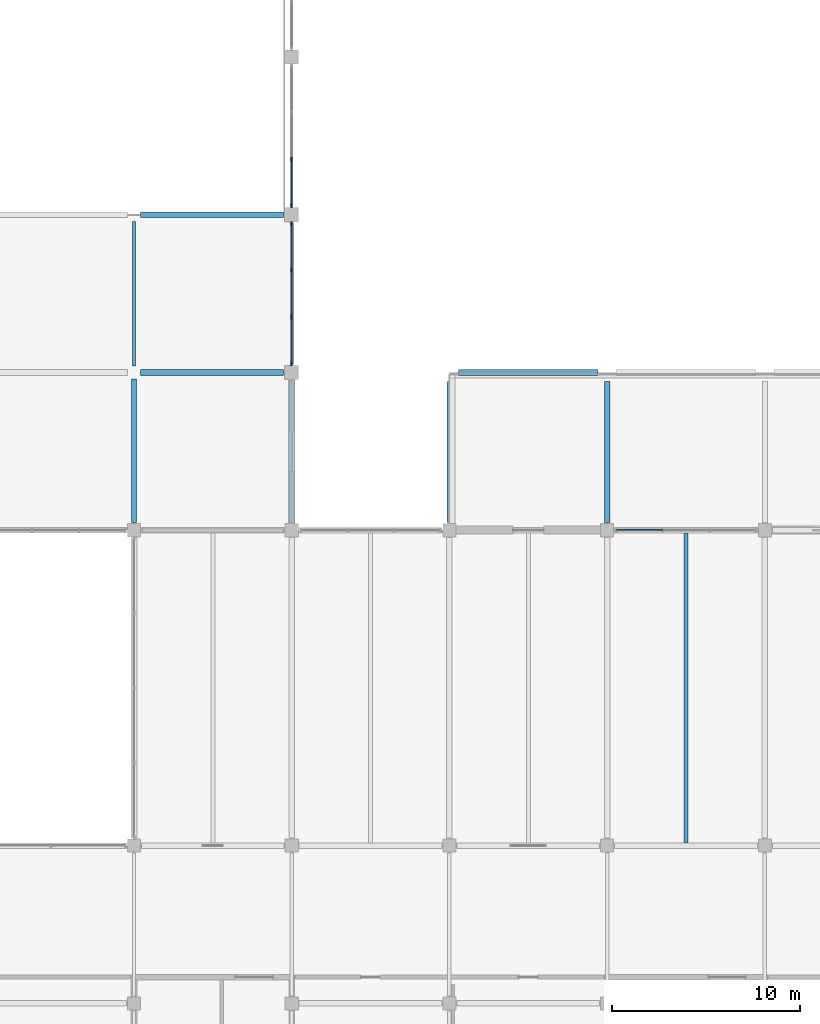
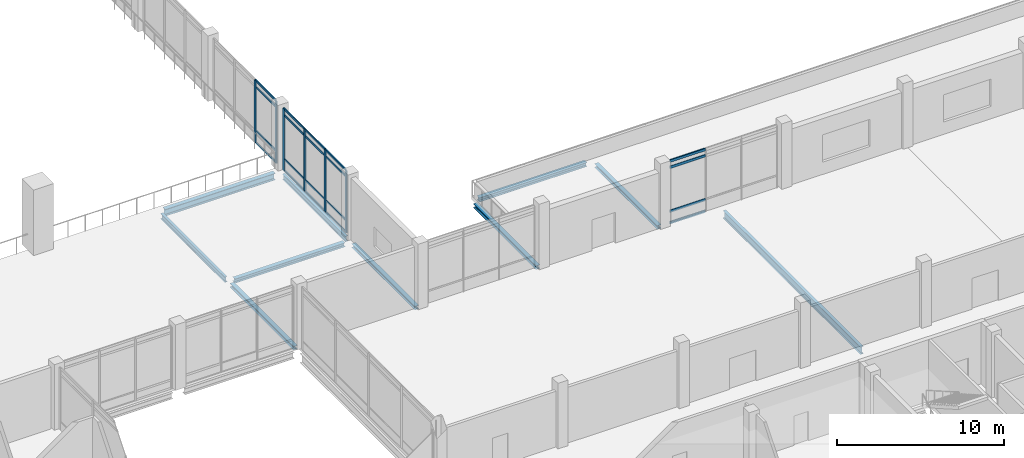
# One storey, part 10 of 110: 26 members, 10 beams, 3 elements without a shape of their own.
"""IFC4 building model written with IfcOpenShell, lengths in metres."""

from ifc_helpers import new_model, si_unit, direction, frame, origin, origin_2d, place, context, subcontext, project, spatial, rectangle, i_section, extrude, material, layer, layer_set, material_profile, profile_set, type_object, element, aggregate, save


model = new_model("IFC4")

# Units and contexts
model_context = context("Model", 3, precision=1e-05, world=origin(), true_north=direction((0.0, 1.0)))
body_context = subcontext(model_context, "Body", "Model", "MODEL_VIEW")
ifc_project = project(units=[si_unit("LENGTHUNIT", "METRE"), si_unit("AREAUNIT", "SQUARE_METRE"), si_unit("VOLUMEUNIT", "CUBIC_METRE"), si_unit("PLANEANGLEUNIT", "RADIAN"), si_unit("MASSUNIT", "GRAM", prefix="KILO")], contexts=[model_context])

# Site, building, storey
site_placement = place(None, origin())
site = spatial("IfcSite", under=ifc_project, at=site_placement, CompositionType="ELEMENT")
building_placement = place(site_placement, origin())
building = spatial("IfcBuilding", under=site, at=building_placement, Name="Qawsi Khor Wholesale Market", CompositionType="ELEMENT")
storey_placement = place(building_placement, frame((0.0, 0.0, 11.39990234375)))
storey = spatial("IfcBuildingStorey", under=building, at=storey_placement, Name="L02", CompositionType="ELEMENT", Elevation=11.39990234375)

# Curtain wall, members
ifc_material_1 = material(Name="Aluminium Anodised Bronze", Category="aluminium")
ifc_layer_1 = layer(ifc_material_1, 0.199951171875, Name="Aluminium Anodised Bronze")
ifc_layer_set_1 = layer_set([ifc_layer_1], Name="Aluminium Anodised Bronze")
curtain_wall_type_1 = type_object("IfcCurtainWallType", Name="Trading Hall North-Light Curtain Wall CW-03", PredefinedType="NOTDEFINED", material=ifc_layer_set_1)
curtain_wall_1_placement = place(storey_placement, origin())
curtain_wall_1 = element("IfcCurtainWall", 1, at=curtain_wall_1_placement, inside=storey, type_object=curtain_wall_type_1, Name="Curtain wall CW-CW-03-L02-074", PredefinedType="NOTDEFINED")
ifc_material_profile_1 = material_profile(ifc_material_1, rectangle(XDim=0.074951171875, YDim=0.219970703125, at=origin_2d()), Name="ALU MULLION 75x220")
ifc_profile_set_1 = profile_set([ifc_material_profile_1], Name="Aluminium Anodised Bronze")
member_type_1 = type_object("IfcMemberType", Name="Curtain Wall Mullion CW-03 ALU MULLION 75x220", PredefinedType="MULLION", material=ifc_profile_set_1)
member_1_placement = place(storey_placement, frame((75.60009765625, 50.87255859375, -0.02001953125), z_axis=(0.0, 0.0, 1.0), x_axis=(1.0, 0.0, 0.0)))
member_1 = element("IfcMember", 2, at=member_1_placement, type_object=member_type_1, Name="Mullion CW-CW-03-L02-074-M00", PredefinedType="MULLION", context=body_context, shape_type="SweptSolid", body=[
    extrude(rectangle(XDim=0.074951171875, YDim=0.219970703125, at=origin_2d()), origin(), (0.0, 0.0, 1.0), 4.5400390625),
])
member_2_placement = place(storey_placement, frame((75.60009765625, 53.357421875, -0.02001953125), z_axis=(0.0, 0.0, 1.0), x_axis=(1.0, 0.0, 0.0)))
member_2 = element("IfcMember", 3, at=member_2_placement, type_object=member_type_1, Name="Mullion CW-CW-03-L02-074-M01", PredefinedType="MULLION", context=body_context, shape_type="SweptSolid", body=[
    extrude(rectangle(XDim=0.074951171875, YDim=0.219970703125, at=origin_2d()), origin(), (0.0, 0.0, 1.0), 4.5400390625),
])
member_3_placement = place(storey_placement, frame((75.60009765625, 55.842529296875, -0.02001953125), z_axis=(0.0, 0.0, 1.0), x_axis=(1.0, 0.0, 0.0)))
member_3 = element("IfcMember", 4, at=member_3_placement, type_object=member_type_1, Name="Mullion CW-CW-03-L02-074-M02", PredefinedType="MULLION", context=body_context, shape_type="SweptSolid", body=[
    extrude(rectangle(XDim=0.074951171875, YDim=0.219970703125, at=origin_2d()), origin(), (0.0, 0.0, 1.0), 4.5400390625),
])
member_4_placement = place(storey_placement, frame((75.60009765625, 58.327392578125, -0.02001953125), z_axis=(0.0, 0.0, 1.0), x_axis=(1.0, 0.0, 0.0)))
member_4 = element("IfcMember", 5, at=member_4_placement, type_object=member_type_1, Name="Mullion CW-CW-03-L02-074-M03", PredefinedType="MULLION", context=body_context, shape_type="SweptSolid", body=[
    extrude(rectangle(XDim=0.074951171875, YDim=0.219970703125, at=origin_2d()), origin(), (0.0, 0.0, 1.0), 4.5400390625),
])

curtain_wall_2_placement = place(storey_placement, origin())
curtain_wall_2 = element("IfcCurtainWall", 6, at=curtain_wall_2_placement, inside=storey, type_object=curtain_wall_type_1, Name="Curtain wall CW-CW-03-L02-079", PredefinedType="NOTDEFINED")
member_5_placement = place(storey_placement, frame((75.60009765625, 59.2724609375, -0.02001953125), z_axis=(0.0, 0.0, 1.0), x_axis=(1.0, 0.0, 0.0)))
member_5 = element("IfcMember", 7, at=member_5_placement, type_object=member_type_1, Name="Mullion CW-CW-03-L02-079-M00", PredefinedType="MULLION", context=body_context, shape_type="SweptSolid", body=[
    extrude(rectangle(XDim=0.074951171875, YDim=0.219970703125, at=origin_2d()), origin(), (0.0, 0.0, 1.0), 4.5400390625),
])
member_6_placement = place(storey_placement, frame((75.60009765625, 61.757568359375, -0.02001953125), z_axis=(0.0, 0.0, 1.0), x_axis=(1.0, 0.0, 0.0)))
member_6 = element("IfcMember", 8, at=member_6_placement, type_object=member_type_1, Name="Mullion CW-CW-03-L02-079-M01", PredefinedType="MULLION", context=body_context, shape_type="SweptSolid", body=[
    extrude(rectangle(XDim=0.074951171875, YDim=0.219970703125, at=origin_2d()), origin(), (0.0, 0.0, 1.0), 4.5400390625),
])

# Member
ifc_material_profile_2 = material_profile(ifc_material_1, rectangle(XDim=0.070068359375, YDim=0.14990234375, at=origin_2d()), Name="ALU TRANSOM 70x150")
ifc_profile_set_2 = profile_set([ifc_material_profile_2], Name="Aluminium Anodised Bronze")
member_type_2 = type_object("IfcMemberType", Name="Curtain Wall Transom CW-03 ALU TRANSOM 70x150", PredefinedType="USERDEFINED", material=ifc_profile_set_2)
member_7_placement = place(storey_placement, frame((75.60009765625, 50.87255859375, 0.0), z_axis=(0.0, 1.0, 0.0), x_axis=(-1.0, 0.0, 0.0)))
member_7 = element("IfcMember", 9, at=member_7_placement, type_object=member_type_2, Name="Transom CW-CW-03-L02-074-T0_00", ObjectType="TRANSOM", PredefinedType="USERDEFINED", context=body_context, shape_type="SweptSolid", body=[
    extrude(rectangle(XDim=0.070068359375, YDim=0.14990234375, at=origin_2d()), origin(), (0.0, 0.0, 1.0), 2.48486328125),
])

member_8_placement = place(storey_placement, frame((75.60009765625, 53.357421875, 0.0), z_axis=(0.0, 1.0, 0.0), x_axis=(-1.0, 0.0, 0.0)))
member_8 = element("IfcMember", 10, at=member_8_placement, type_object=member_type_2, Name="Transom CW-CW-03-L02-074-T0_01", ObjectType="TRANSOM", PredefinedType="USERDEFINED", context=body_context, shape_type="SweptSolid", body=[
    extrude(rectangle(XDim=0.070068359375, YDim=0.14990234375, at=origin_2d()), origin(), (0.0, 0.0, 1.0), 2.485107421875),
])

member_9_placement = place(storey_placement, frame((75.60009765625, 55.842529296875, 0.0), z_axis=(0.0, 1.0, 0.0), x_axis=(-1.0, 0.0, 0.0)))
member_9 = element("IfcMember", 11, at=member_9_placement, type_object=member_type_2, Name="Transom CW-CW-03-L02-074-T0_02", ObjectType="TRANSOM", PredefinedType="USERDEFINED", context=body_context, shape_type="SweptSolid", body=[
    extrude(rectangle(XDim=0.070068359375, YDim=0.14990234375, at=origin_2d()), origin(), (0.0, 0.0, 1.0), 2.48486328125),
])

member_10_placement = place(storey_placement, frame((75.60009765625, 50.87255859375, 0.85009765625), z_axis=(0.0, 1.0, 0.0), x_axis=(-1.0, 0.0, 0.0)))
member_10 = element("IfcMember", 12, at=member_10_placement, type_object=member_type_2, Name="Transom CW-CW-03-L02-074-T1_00", ObjectType="TRANSOM", PredefinedType="USERDEFINED", context=body_context, shape_type="SweptSolid", body=[
    extrude(rectangle(XDim=0.070068359375, YDim=0.14990234375, at=origin_2d()), origin(), (0.0, 0.0, 1.0), 2.48486328125),
])

member_11_placement = place(storey_placement, frame((75.60009765625, 53.357421875, 0.85009765625), z_axis=(0.0, 1.0, 0.0), x_axis=(-1.0, 0.0, 0.0)))
member_11 = element("IfcMember", 13, at=member_11_placement, type_object=member_type_2, Name="Transom CW-CW-03-L02-074-T1_01", ObjectType="TRANSOM", PredefinedType="USERDEFINED", context=body_context, shape_type="SweptSolid", body=[
    extrude(rectangle(XDim=0.070068359375, YDim=0.14990234375, at=origin_2d()), origin(), (0.0, 0.0, 1.0), 2.485107421875),
])

member_12_placement = place(storey_placement, frame((75.60009765625, 55.842529296875, 0.85009765625), z_axis=(0.0, 1.0, 0.0), x_axis=(-1.0, 0.0, 0.0)))
member_12 = element("IfcMember", 14, at=member_12_placement, type_object=member_type_2, Name="Transom CW-CW-03-L02-074-T1_02", ObjectType="TRANSOM", PredefinedType="USERDEFINED", context=body_context, shape_type="SweptSolid", body=[
    extrude(rectangle(XDim=0.070068359375, YDim=0.14990234375, at=origin_2d()), origin(), (0.0, 0.0, 1.0), 2.48486328125),
])

member_13_placement = place(storey_placement, frame((75.60009765625, 50.87255859375, 4.070068359375), z_axis=(0.0, 1.0, 0.0), x_axis=(-1.0, 0.0, 0.0)))
member_13 = element("IfcMember", 15, at=member_13_placement, type_object=member_type_2, Name="Transom CW-CW-03-L02-074-T2_00", ObjectType="TRANSOM", PredefinedType="USERDEFINED", context=body_context, shape_type="SweptSolid", body=[
    extrude(rectangle(XDim=0.070068359375, YDim=0.14990234375, at=origin_2d()), origin(), (0.0, 0.0, 1.0), 2.48486328125),
])

member_14_placement = place(storey_placement, frame((75.60009765625, 53.357421875, 4.070068359375), z_axis=(0.0, 1.0, 0.0), x_axis=(-1.0, 0.0, 0.0)))
member_14 = element("IfcMember", 16, at=member_14_placement, type_object=member_type_2, Name="Transom CW-CW-03-L02-074-T2_01", ObjectType="TRANSOM", PredefinedType="USERDEFINED", context=body_context, shape_type="SweptSolid", body=[
    extrude(rectangle(XDim=0.070068359375, YDim=0.14990234375, at=origin_2d()), origin(), (0.0, 0.0, 1.0), 2.485107421875),
])

member_15_placement = place(storey_placement, frame((75.60009765625, 55.842529296875, 4.070068359375), z_axis=(0.0, 1.0, 0.0), x_axis=(-1.0, 0.0, 0.0)))
member_15 = element("IfcMember", 17, at=member_15_placement, type_object=member_type_2, Name="Transom CW-CW-03-L02-074-T2_02", ObjectType="TRANSOM", PredefinedType="USERDEFINED", context=body_context, shape_type="SweptSolid", body=[
    extrude(rectangle(XDim=0.070068359375, YDim=0.14990234375, at=origin_2d()), origin(), (0.0, 0.0, 1.0), 2.48486328125),
])

member_16_placement = place(storey_placement, frame((75.60009765625, 50.87255859375, 4.52001953125), z_axis=(0.0, 1.0, 0.0), x_axis=(-1.0, 0.0, 0.0)))
member_16 = element("IfcMember", 18, at=member_16_placement, type_object=member_type_2, Name="Transom CW-CW-03-L02-074-T3_00", ObjectType="TRANSOM", PredefinedType="USERDEFINED", context=body_context, shape_type="SweptSolid", body=[
    extrude(rectangle(XDim=0.070068359375, YDim=0.14990234375, at=origin_2d()), origin(), (0.0, 0.0, 1.0), 2.48486328125),
])

member_17_placement = place(storey_placement, frame((75.60009765625, 53.357421875, 4.52001953125), z_axis=(0.0, 1.0, 0.0), x_axis=(-1.0, 0.0, 0.0)))
member_17 = element("IfcMember", 19, at=member_17_placement, type_object=member_type_2, Name="Transom CW-CW-03-L02-074-T3_01", ObjectType="TRANSOM", PredefinedType="USERDEFINED", context=body_context, shape_type="SweptSolid", body=[
    extrude(rectangle(XDim=0.070068359375, YDim=0.14990234375, at=origin_2d()), origin(), (0.0, 0.0, 1.0), 2.485107421875),
])

member_18_placement = place(storey_placement, frame((75.60009765625, 55.842529296875, 4.52001953125), z_axis=(0.0, 1.0, 0.0), x_axis=(-1.0, 0.0, 0.0)))
member_18 = element("IfcMember", 20, at=member_18_placement, type_object=member_type_2, Name="Transom CW-CW-03-L02-074-T3_02", ObjectType="TRANSOM", PredefinedType="USERDEFINED", context=body_context, shape_type="SweptSolid", body=[
    extrude(rectangle(XDim=0.070068359375, YDim=0.14990234375, at=origin_2d()), origin(), (0.0, 0.0, 1.0), 2.48486328125),
])

aggregate(curtain_wall_1, [member_1, member_2, member_3, member_4, member_7, member_8, member_9, member_10, member_11, member_12, member_13, member_14, member_15, member_16, member_17, member_18])

member_19_placement = place(storey_placement, frame((75.60009765625, 59.2724609375, 0.0), z_axis=(0.0, 1.0, 0.0), x_axis=(-1.0, 0.0, 0.0)))
member_19 = element("IfcMember", 21, at=member_19_placement, type_object=member_type_2, Name="Transom CW-CW-03-L02-079-T0_00", ObjectType="TRANSOM", PredefinedType="USERDEFINED", context=body_context, shape_type="SweptSolid", body=[
    extrude(rectangle(XDim=0.070068359375, YDim=0.14990234375, at=origin_2d()), origin(), (0.0, 0.0, 1.0), 2.485107421875),
])

member_20_placement = place(storey_placement, frame((75.60009765625, 59.2724609375, 0.85009765625), z_axis=(0.0, 1.0, 0.0), x_axis=(-1.0, 0.0, 0.0)))
member_20 = element("IfcMember", 22, at=member_20_placement, type_object=member_type_2, Name="Transom CW-CW-03-L02-079-T1_00", ObjectType="TRANSOM", PredefinedType="USERDEFINED", context=body_context, shape_type="SweptSolid", body=[
    extrude(rectangle(XDim=0.070068359375, YDim=0.14990234375, at=origin_2d()), origin(), (0.0, 0.0, 1.0), 2.485107421875),
])

member_21_placement = place(storey_placement, frame((75.60009765625, 59.2724609375, 4.070068359375), z_axis=(0.0, 1.0, 0.0), x_axis=(-1.0, 0.0, 0.0)))
member_21 = element("IfcMember", 23, at=member_21_placement, type_object=member_type_2, Name="Transom CW-CW-03-L02-079-T2_00", ObjectType="TRANSOM", PredefinedType="USERDEFINED", context=body_context, shape_type="SweptSolid", body=[
    extrude(rectangle(XDim=0.070068359375, YDim=0.14990234375, at=origin_2d()), origin(), (0.0, 0.0, 1.0), 2.485107421875),
])

member_22_placement = place(storey_placement, frame((75.60009765625, 59.2724609375, 4.52001953125), z_axis=(0.0, 1.0, 0.0), x_axis=(-1.0, 0.0, 0.0)))
member_22 = element("IfcMember", 24, at=member_22_placement, type_object=member_type_2, Name="Transom CW-CW-03-L02-079-T3_00", ObjectType="TRANSOM", PredefinedType="USERDEFINED", context=body_context, shape_type="SweptSolid", body=[
    extrude(rectangle(XDim=0.070068359375, YDim=0.14990234375, at=origin_2d()), origin(), (0.0, 0.0, 1.0), 2.485107421875),
])

aggregate(curtain_wall_2, [member_5, member_6, member_19, member_20, member_21, member_22])

# Curtain wall, members
ifc_layer_2 = layer(ifc_material_1, 0.169921875, Name="Aluminium Anodised Bronze")
ifc_layer_set_2 = layer_set([ifc_layer_2], Name="Aluminium Anodised Bronze")
curtain_wall_type_2 = type_object("IfcCurtainWallType", Name="Central Court Gallery Curtain Wall CW-05", PredefinedType="NOTDEFINED", material=ifc_layer_set_2)
curtain_wall_3_placement = place(storey_placement, origin())
curtain_wall_3 = element("IfcCurtainWall", 25, at=curtain_wall_3_placement, inside=storey, type_object=curtain_wall_type_2, Name="Curtain wall CW-CW-05-L02-067", PredefinedType="NOTDEFINED")
ifc_material_profile_3 = material_profile(ifc_material_1, rectangle(XDim=0.080078125, YDim=0.179931640625, at=origin_2d()), Name="ALU TRANSOM 80x180")
ifc_profile_set_3 = profile_set([ifc_material_profile_3], Name="Aluminium Anodised Bronze")
member_type_3 = type_object("IfcMemberType", Name="Curtain Wall Transom CW-05 ALU TRANSOM 80x180", PredefinedType="USERDEFINED", material=ifc_profile_set_3)
member_23_placement = place(storey_placement, frame((92.89990234375, 42.0, 0.0), z_axis=(1.0, 0.0, 0.0), x_axis=(0.0, 1.0, 0.0)))
member_23 = element("IfcMember", 26, at=member_23_placement, type_object=member_type_3, Name="Transom CW-CW-05-L02-067-T0_00", ObjectType="TRANSOM", PredefinedType="USERDEFINED", context=body_context, shape_type="SweptSolid", body=[
    extrude(rectangle(XDim=0.080078125, YDim=0.179931640625, at=origin_2d()), origin(), (0.0, 0.0, 1.0), 2.466796875),
])
member_24_placement = place(storey_placement, frame((92.89990234375, 42.0, 0.85009765625), z_axis=(1.0, 0.0, 0.0), x_axis=(0.0, 1.0, 0.0)))
member_24 = element("IfcMember", 27, at=member_24_placement, type_object=member_type_3, Name="Transom CW-CW-05-L02-067-T1_00", ObjectType="TRANSOM", PredefinedType="USERDEFINED", context=body_context, shape_type="SweptSolid", body=[
    extrude(rectangle(XDim=0.080078125, YDim=0.179931640625, at=origin_2d()), origin(), (0.0, 0.0, 1.0), 2.466796875),
])
member_25_placement = place(storey_placement, frame((92.89990234375, 42.0, 4.070068359375), z_axis=(1.0, 0.0, 0.0), x_axis=(0.0, 1.0, 0.0)))
member_25 = element("IfcMember", 28, at=member_25_placement, type_object=member_type_3, Name="Transom CW-CW-05-L02-067-T2_00", ObjectType="TRANSOM", PredefinedType="USERDEFINED", context=body_context, shape_type="SweptSolid", body=[
    extrude(rectangle(XDim=0.080078125, YDim=0.179931640625, at=origin_2d()), origin(), (0.0, 0.0, 1.0), 2.466796875),
])
member_26_placement = place(storey_placement, frame((92.89990234375, 42.0, 4.52001953125), z_axis=(1.0, 0.0, 0.0), x_axis=(0.0, 1.0, 0.0)))
member_26 = element("IfcMember", 29, at=member_26_placement, type_object=member_type_3, Name="Transom CW-CW-05-L02-067-T3_00", ObjectType="TRANSOM", PredefinedType="USERDEFINED", context=body_context, shape_type="SweptSolid", body=[
    extrude(rectangle(XDim=0.080078125, YDim=0.179931640625, at=origin_2d()), origin(), (0.0, 0.0, 1.0), 2.466796875),
])
aggregate(curtain_wall_3, [member_23, member_24, member_25, member_26])

# Beams
ifc_material_2 = material(Name="Steel S355", Category="steel")
ifc_material_profile_4 = material_profile(ifc_material_2, i_section(OverallWidth=0.280029296875, OverallDepth=0.27001953125, WebThickness=0.008056640625, FlangeThickness=0.012939453125, FilletRadius=0.02392578125, at=origin_2d()), Name="HEA 280")
ifc_profile_set_4 = profile_set([ifc_material_profile_4], Name="Steel S355")
beam_type_1 = type_object("IfcBeamType", Name="Primary Girder HEA 280", PredefinedType="BEAM", material=ifc_profile_set_4)
beam_1_placement = place(storey_placement, frame((67.199951171875, 42.39990234375, -0.40478515625), z_axis=(0.0, 1.0, 0.0), x_axis=(-1.0, 0.0, 0.0)))
element("IfcBeam", 30, at=beam_1_placement, inside=storey, type_object=beam_type_1, Name="BM-Y-L02-08_+05", PredefinedType="BEAM", context=body_context, shape_type="SweptSolid", body=[
    extrude(i_section(OverallWidth=0.280029296875, OverallDepth=0.27001953125, WebThickness=0.008056640625, FlangeThickness=0.012939453125, FilletRadius=0.02392578125, at=origin_2d()), origin(), (0.0, 0.0, 1.0), 7.650146484375),
])
beam_2_placement = place(storey_placement, frame((75.60009765625, 42.39990234375, -0.40478515625), z_axis=(0.0, 1.0, 0.0), x_axis=(-1.0, 0.0, 0.0)))
element("IfcBeam", 31, at=beam_2_placement, inside=storey, type_object=beam_type_1, Name="BM-Y-L02-09_+05", PredefinedType="BEAM", context=body_context, shape_type="SweptSolid", body=[
    extrude(i_section(OverallWidth=0.280029296875, OverallDepth=0.27001953125, WebThickness=0.008056640625, FlangeThickness=0.012939453125, FilletRadius=0.02392578125, at=origin_2d()), origin(), (0.0, 0.0, 1.0), 7.5751953125),
])
for number, where, z_axis, x_axis, name in (
    (32, (84.0, 42.39990234375, -0.385009765625), (0.0, 1.0, 0.0), (-1.0, 0.0, 0.0), "BM-Y-L02-10_+05"),
    (33, (92.39990234375, 42.39990234375, -0.385009765625), (0.0, 1.0, 0.0), (-1.0, 0.0, 0.0), "BM-Y-L02-11_+05"),
):
    element("IfcBeam", number, at=place(storey_placement, frame(where, z_axis=z_axis, x_axis=x_axis)), inside=storey, type_object=beam_type_1, Name=name, PredefinedType="BEAM", context=body_context, shape_type="SweptSolid", body=[
        extrude(i_section(OverallWidth=0.280029296875, OverallDepth=0.27001953125, WebThickness=0.008056640625, FlangeThickness=0.012939453125, FilletRadius=0.02392578125, at=origin_2d()), origin(), (0.0, 0.0, 1.0), 7.525146484375),
    ])
ifc_material_profile_5 = material_profile(ifc_material_2, i_section(OverallWidth=0.300048828125, OverallDepth=0.489990234375, WebThickness=0.011962890625, FlangeThickness=0.02294921875, FilletRadius=0.027099609375, at=origin_2d()), Name="HEA 500")
ifc_profile_set_5 = profile_set([ifc_material_profile_5], Name="Steel S355")
beam_type_2 = type_object("IfcBeamType", Name="Primary Girder HEA 500", PredefinedType="BEAM", material=ifc_profile_set_5)
beam_3_placement = place(storey_placement, frame((67.550048828125, 58.800048828125, -0.514892578125), z_axis=(1.0, 0.0, 0.0), x_axis=(0.0, 1.0, 0.0)))
element("IfcBeam", 34, at=beam_3_placement, inside=storey, type_object=beam_type_2, Name="BM-X-L02-08_+07", PredefinedType="BEAM", context=body_context, shape_type="SweptSolid", body=[
    extrude(i_section(OverallWidth=0.300048828125, OverallDepth=0.489990234375, WebThickness=0.011962890625, FlangeThickness=0.02294921875, FilletRadius=0.027099609375, at=origin_2d()), origin(), (0.0, 0.0, 1.0), 7.625),
])
ifc_material_profile_6 = material_profile(ifc_material_2, i_section(OverallWidth=0.179931640625, OverallDepth=0.39990234375, WebThickness=0.008544921875, FlangeThickness=0.013427734375, FilletRadius=0.02099609375, at=origin_2d()), Name="IPE 400")
ifc_profile_set_6 = profile_set([ifc_material_profile_6], Name="Steel S355")
beam_type_3 = type_object("IfcBeamType", Name="Secondary Beam IPE 400", PredefinedType="BEAM", material=ifc_profile_set_6)
beam_4_placement = place(storey_placement, frame((67.199951171875, 50.75, -0.469970703125), z_axis=(0.0, 1.0, 0.0), x_axis=(-1.0, 0.0, 0.0)))
element("IfcBeam", 35, at=beam_4_placement, inside=storey, type_object=beam_type_3, Name="BM-Y-L02-08_+06", PredefinedType="BEAM", context=body_context, shape_type="SweptSolid", body=[
    extrude(i_section(OverallWidth=0.179931640625, OverallDepth=0.39990234375, WebThickness=0.008544921875, FlangeThickness=0.013427734375, FilletRadius=0.02099609375, at=origin_2d()), origin(), (0.0, 0.0, 1.0), 7.699951171875),
])
beam_5_placement = place(storey_placement, frame((75.60009765625, 50.824951171875, -0.469970703125), z_axis=(0.0, 1.0, 0.0), x_axis=(-1.0, 0.0, 0.0)))
element("IfcBeam", 36, at=beam_5_placement, inside=storey, type_object=beam_type_3, Name="BM-Y-L02-09_+06", PredefinedType="BEAM", context=body_context, shape_type="SweptSolid", body=[
    extrude(i_section(OverallWidth=0.179931640625, OverallDepth=0.39990234375, WebThickness=0.008544921875, FlangeThickness=0.013427734375, FilletRadius=0.02099609375, at=origin_2d()), origin(), (0.0, 0.0, 1.0), 7.550048828125),
])
ifc_material_profile_7 = material_profile(ifc_material_2, i_section(OverallWidth=0.2099609375, OverallDepth=0.550048828125, WebThickness=0.010986328125, FlangeThickness=0.01708984375, FilletRadius=0.02392578125, at=origin_2d()), Name="IPE 550")
ifc_profile_set_7 = profile_set([ifc_material_profile_7], Name="Steel S355")
beam_type_4 = type_object("IfcBeamType", Name="Secondary Beam IPE 550", PredefinedType="BEAM", material=ifc_profile_set_7)
beam_6_placement = place(storey_placement, frame((96.60009765625, 25.35009765625, -0.554931640625), z_axis=(0.0, 1.0, 0.0), x_axis=(-1.0, 0.0, 0.0)))
element("IfcBeam", 37, at=beam_6_placement, inside=storey, type_object=beam_type_4, Name="JST-M-L02-11", PredefinedType="BEAM", context=body_context, shape_type="SweptSolid", body=[
    extrude(i_section(OverallWidth=0.2099609375, OverallDepth=0.550048828125, WebThickness=0.010986328125, FlangeThickness=0.01708984375, FilletRadius=0.02392578125, at=origin_2d()), origin(), (0.0, 0.0, 1.0), 16.5),
])
ifc_material_profile_8 = material_profile(ifc_material_2, i_section(OverallWidth=0.300048828125, OverallDepth=0.300048828125, WebThickness=0.010986328125, FlangeThickness=0.01904296875, FilletRadius=0.027099609375, at=origin_2d()), Name="HEB 300")
ifc_profile_set_8 = profile_set([ifc_material_profile_8], Name="Steel S355")
beam_type_5 = type_object("IfcBeamType", Name="Tie Beam HEB 300", PredefinedType="BEAM", material=ifc_profile_set_8)
beam_7_placement = place(storey_placement, frame((67.550048828125, 50.39990234375, -0.419921875), z_axis=(1.0, 0.0, 0.0), x_axis=(0.0, 1.0, 0.0)))
element("IfcBeam", 38, at=beam_7_placement, inside=storey, type_object=beam_type_5, Name="BM-X-L02-08_+06", PredefinedType="BEAM", context=body_context, shape_type="SweptSolid", body=[
    extrude(i_section(OverallWidth=0.300048828125, OverallDepth=0.300048828125, WebThickness=0.010986328125, FlangeThickness=0.01904296875, FilletRadius=0.027099609375, at=origin_2d()), origin(), (0.0, 0.0, 1.0), 7.625),
])
beam_8_placement = place(storey_placement, frame((84.47509765625, 50.39990234375, -0.39990234375), z_axis=(1.0, 0.0, 0.0), x_axis=(0.0, 1.0, 0.0)))
element("IfcBeam", 39, at=beam_8_placement, inside=storey, type_object=beam_type_5, Name="BM-X-L02-10_+06", PredefinedType="BEAM", context=body_context, shape_type="SweptSolid", body=[
    extrude(i_section(OverallWidth=0.300048828125, OverallDepth=0.300048828125, WebThickness=0.010986328125, FlangeThickness=0.01904296875, FilletRadius=0.027099609375, at=origin_2d()), origin(), (0.0, 0.0, 1.0), 7.449951171875),
])

save(model, "model.ifc")
